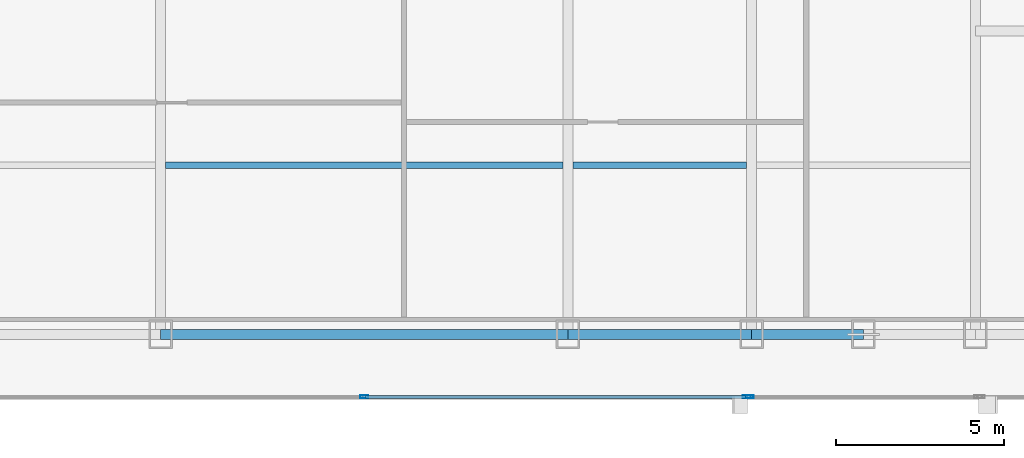
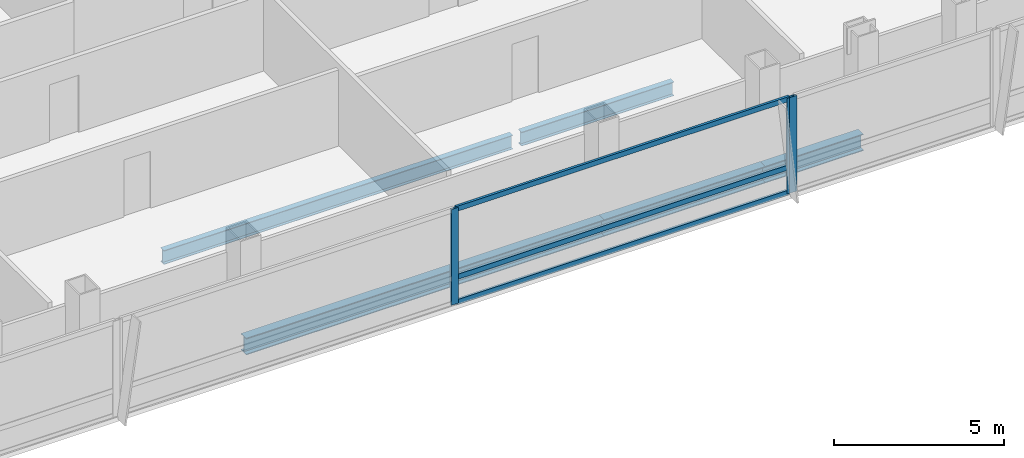
# One storey, part 13 of 29: 6 members, 5 beams, 2 elements without a shape of their own.
"""IFC4 building model written with IfcOpenShell, lengths in metres."""

from ifc_helpers import new_model, si_unit, direction, frame, origin, origin_2d, place, context, subcontext, project, spatial, hollow_rectangle, i_section, extrude, material, material_profile, profile_set, type_object, element, aggregate, save


model = new_model("IFC4")

# Units and contexts
model_context = context("Model", 3, precision=1e-05, world=origin(), true_north=direction((0.0, 1.0)))
body_context = subcontext(model_context, "Body", "Model", "MODEL_VIEW")
ifc_project = project(units=[si_unit("LENGTHUNIT", "METRE"), si_unit("AREAUNIT", "SQUARE_METRE"), si_unit("VOLUMEUNIT", "CUBIC_METRE"), si_unit("PLANEANGLEUNIT", "RADIAN"), si_unit("MASSUNIT", "GRAM", prefix="KILO")], contexts=[model_context])

# Site, building, storey
site_placement = place(None, origin())
site = spatial("IfcSite", under=ifc_project, at=site_placement, CompositionType="ELEMENT")
building_placement = place(site_placement, origin())
building = spatial("IfcBuilding", under=site, at=building_placement, Name="Khoronbel Lancet Exchange", CompositionType="ELEMENT")
storey_placement = place(building_placement, frame((0.0, 0.0, 165.0)))
storey = spatial("IfcBuildingStorey", under=building, at=storey_placement, Name="L41", CompositionType="ELEMENT", Elevation=165.0)

# Beams
ifc_material_1 = material(Name="Steel S355", Category="steel")
ifc_material_profile_1 = material_profile(ifc_material_1, i_section(OverallWidth=0.199951171875, OverallDepth=0.5, WebThickness=0.01025390625, FlangeThickness=0.01611328125, at=origin_2d()), Name="IPE 500")
ifc_profile_set_1 = profile_set([ifc_material_profile_1], Name="Steel S355")
beam_type_1 = type_object("IfcBeamType", Name="BM-BJ3", PredefinedType="JOIST", material=ifc_profile_set_1)
beam_1_placement = place(storey_placement, frame((30.52490234375, 15.199951171875, -0.409912109375), z_axis=(1.0, 0.0, 0.0), x_axis=(0.0, 1.0, 0.0)))
element("IfcBeam", 1, at=beam_1_placement, inside=storey, type_object=beam_type_1, Name="Level L41 secondary composite joist J03", PredefinedType="JOIST", context=body_context, shape_type="SweptSolid", body=[
    extrude(i_section(OverallWidth=0.199951171875, OverallDepth=0.5, WebThickness=0.01025390625, FlangeThickness=0.01611328125, at=origin_2d()), origin(), (0.0, 0.0, 1.0), 11.85009765625),
])
beam_2_placement = place(storey_placement, frame((42.675048828125, 15.199951171875, -0.409912109375), z_axis=(1.0, 0.0, 0.0), x_axis=(0.0, 1.0, 0.0)))
element("IfcBeam", 2, at=beam_2_placement, inside=storey, type_object=beam_type_1, Name="Level L41 secondary composite joist J04", PredefinedType="JOIST", context=body_context, shape_type="SweptSolid", body=[
    extrude(i_section(OverallWidth=0.199951171875, OverallDepth=0.5, WebThickness=0.01025390625, FlangeThickness=0.01611328125, at=origin_2d()), origin(), (0.0, 0.0, 1.0), 5.175048828125),
])
ifc_material_profile_2 = material_profile(ifc_material_1, i_section(OverallWidth=0.300048828125, OverallDepth=0.60009765625, WebThickness=0.015380859375, FlangeThickness=0.030029296875, at=origin_2d()), Name="HEB 600")
ifc_profile_set_2 = profile_set([ifc_material_profile_2], Name="Steel S355")
beam_type_2 = type_object("IfcBeamType", Name="BM-BSP2", PredefinedType="SPANDREL", material=ifc_profile_set_2)
beam_3_placement = place(storey_placement, frame((30.375, 10.14990234375, -0.4599609375), z_axis=(1.0, 0.0, 0.0), x_axis=(0.0, 1.0, 0.0)))
element("IfcBeam", 3, at=beam_3_placement, inside=storey, type_object=beam_type_2, Name="Level L41 perimeter spandrel beam SP05", PredefinedType="SPANDREL", context=body_context, shape_type="SweptSolid", body=[
    extrude(i_section(OverallWidth=0.300048828125, OverallDepth=0.60009765625, WebThickness=0.015380859375, FlangeThickness=0.030029296875, at=origin_2d()), origin(), (0.0, 0.0, 1.0), 12.14990234375),
])
beam_4_placement = place(storey_placement, frame((42.52490234375, 10.14990234375, -0.4599609375), z_axis=(1.0, 0.0, 0.0), x_axis=(0.0, 1.0, 0.0)))
element("IfcBeam", 4, at=beam_4_placement, inside=storey, type_object=beam_type_2, Name="Level L41 perimeter spandrel beam SP06", PredefinedType="SPANDREL", context=body_context, shape_type="SweptSolid", body=[
    extrude(i_section(OverallWidth=0.300048828125, OverallDepth=0.60009765625, WebThickness=0.015380859375, FlangeThickness=0.030029296875, at=origin_2d()), origin(), (0.0, 0.0, 1.0), 5.47509765625),
])
beam_5_placement = place(storey_placement, frame((48.0, 10.14990234375, -0.4599609375), z_axis=(1.0, 0.0, 0.0), x_axis=(0.0, 1.0, 0.0)))
element("IfcBeam", 5, at=beam_5_placement, inside=storey, type_object=beam_type_2, Name="Level L41 perimeter spandrel beam SP07", PredefinedType="SPANDREL", context=body_context, shape_type="SweptSolid", body=[
    extrude(i_section(OverallWidth=0.300048828125, OverallDepth=0.60009765625, WebThickness=0.015380859375, FlangeThickness=0.030029296875, at=origin_2d()), origin(), (0.0, 0.0, 1.0), 3.33740234375),
])

# Curtain wall, members
ifc_material_2 = material(Name="Low-E Solar Control Insulating Glass", Category="glass")
curtain_wall_type = type_object("IfcCurtainWallType", Name="CW-3", PredefinedType="NOTDEFINED", material=ifc_material_2)
curtain_wall_1_placement = place(storey_placement, origin())
curtain_wall_1 = element("IfcCurtainWall", 6, at=curtain_wall_1_placement, inside=storey, type_object=curtain_wall_type, Name="Unitised curtain wall CW-L41-SCV", PredefinedType="NOTDEFINED")
ifc_material_3 = material(Name="Bronze-Anodised Aluminium 6063-T6", Category="aluminium")
ifc_material_profile_3 = material_profile(ifc_material_3, hollow_rectangle(XDim=0.0849609375, YDim=0.239990234375, WallThickness=0.006103515625, at=origin_2d()), Name="ALU MULLION 85x240")
ifc_profile_set_3 = profile_set([ifc_material_profile_3], Name="Bronze-Anodised Aluminium 6063-T6")
member_type_1 = type_object("IfcMemberType", Name="MEM-CWM1", PredefinedType="MULLION", material=ifc_profile_set_3)
member_1_placement = place(storey_placement, frame((36.449951171875, 8.2900390625, 0.0), z_axis=(0.0, 0.0, 1.0), x_axis=(0.0, 1.0, 0.0)))
member_1 = element("IfcMember", 7, at=member_1_placement, type_object=member_type_1, Name="CW3 mullion 2", PredefinedType="MULLION", context=body_context, shape_type="SweptSolid", body=[
    extrude(hollow_rectangle(XDim=0.0849609375, YDim=0.239990234375, WallThickness=0.006103515625, at=origin_2d()), origin(), (0.0, 0.0, 1.0), 3.43994140625),
])
member_2_placement = place(storey_placement, frame((47.857421875, 8.2900390625, 0.0), z_axis=(0.0, 0.0, 1.0), x_axis=(0.0, 1.0, 0.0)))
member_2 = element("IfcMember", 8, at=member_2_placement, type_object=member_type_1, Name="CW3 mullion 3", PredefinedType="MULLION", context=body_context, shape_type="SweptSolid", body=[
    extrude(hollow_rectangle(XDim=0.0849609375, YDim=0.239990234375, WallThickness=0.006103515625, at=origin_2d()), origin(), (0.0, 0.0, 1.0), 3.43994140625),
])

# Curtain wall, member
curtain_wall_2_placement = place(storey_placement, origin())
curtain_wall_2 = element("IfcCurtainWall", 9, at=curtain_wall_2_placement, inside=storey, type_object=curtain_wall_type, Name="Unitised curtain wall CW-L41-SEB", PredefinedType="NOTDEFINED")
member_3_placement = place(storey_placement, frame((47.9423828125, 8.2900390625, 0.0), z_axis=(0.0, 0.0, 1.0), x_axis=(0.0, 1.0, 0.0)))
member_3 = element("IfcMember", 10, at=member_3_placement, type_object=member_type_1, Name="CW3 mullion 1", PredefinedType="MULLION", context=body_context, shape_type="SweptSolid", body=[
    extrude(hollow_rectangle(XDim=0.0849609375, YDim=0.239990234375, WallThickness=0.006103515625, at=origin_2d()), origin(), (0.0, 0.0, 1.0), 3.43994140625),
])
aggregate(curtain_wall_2, [member_3])

# Member
ifc_material_profile_4 = material_profile(ifc_material_3, hollow_rectangle(XDim=0.0849609375, YDim=0.179931640625, WallThickness=0.0048828125, at=origin_2d()), Name="ALU TRANSOM 85x180")
ifc_profile_set_4 = profile_set([ifc_material_profile_4], Name="Bronze-Anodised Aluminium 6063-T6")
member_type_2 = type_object("IfcMemberType", Name="MEM-CWT1", PredefinedType="USERDEFINED", material=ifc_profile_set_4)
member_4_placement = place(storey_placement, frame((36.492431640625, 8.2900390625, 0.04248046875), z_axis=(1.0, 0.0, 0.0), x_axis=(0.0, 1.0, 0.0)))
member_4 = element("IfcMember", 11, at=member_4_placement, type_object=member_type_2, Name="CW3 transom 2.1", ObjectType="TRANSOM", PredefinedType="USERDEFINED", context=body_context, shape_type="SweptSolid", body=[
    extrude(hollow_rectangle(XDim=0.0849609375, YDim=0.179931640625, WallThickness=0.0048828125, at=origin_2d()), origin(), (0.0, 0.0, 1.0), 11.322509765625),
])

member_5_placement = place(storey_placement, frame((36.492431640625, 8.2900390625, 0.949951171875), z_axis=(1.0, 0.0, 0.0), x_axis=(0.0, 1.0, 0.0)))
member_5 = element("IfcMember", 12, at=member_5_placement, type_object=member_type_2, Name="CW3 transom 2.2", ObjectType="TRANSOM", PredefinedType="USERDEFINED", context=body_context, shape_type="SweptSolid", body=[
    extrude(hollow_rectangle(XDim=0.0849609375, YDim=0.179931640625, WallThickness=0.0048828125, at=origin_2d()), origin(), (0.0, 0.0, 1.0), 11.322509765625),
])

member_6_placement = place(storey_placement, frame((36.492431640625, 8.2900390625, 3.3974609375), z_axis=(1.0, 0.0, 0.0), x_axis=(0.0, 1.0, 0.0)))
member_6 = element("IfcMember", 13, at=member_6_placement, type_object=member_type_2, Name="CW3 transom 2.3", ObjectType="TRANSOM", PredefinedType="USERDEFINED", context=body_context, shape_type="SweptSolid", body=[
    extrude(hollow_rectangle(XDim=0.0849609375, YDim=0.179931640625, WallThickness=0.0048828125, at=origin_2d()), origin(), (0.0, 0.0, 1.0), 11.322509765625),
])

aggregate(curtain_wall_1, [member_1, member_2, member_4, member_5, member_6])

save(model, "model.ifc")
